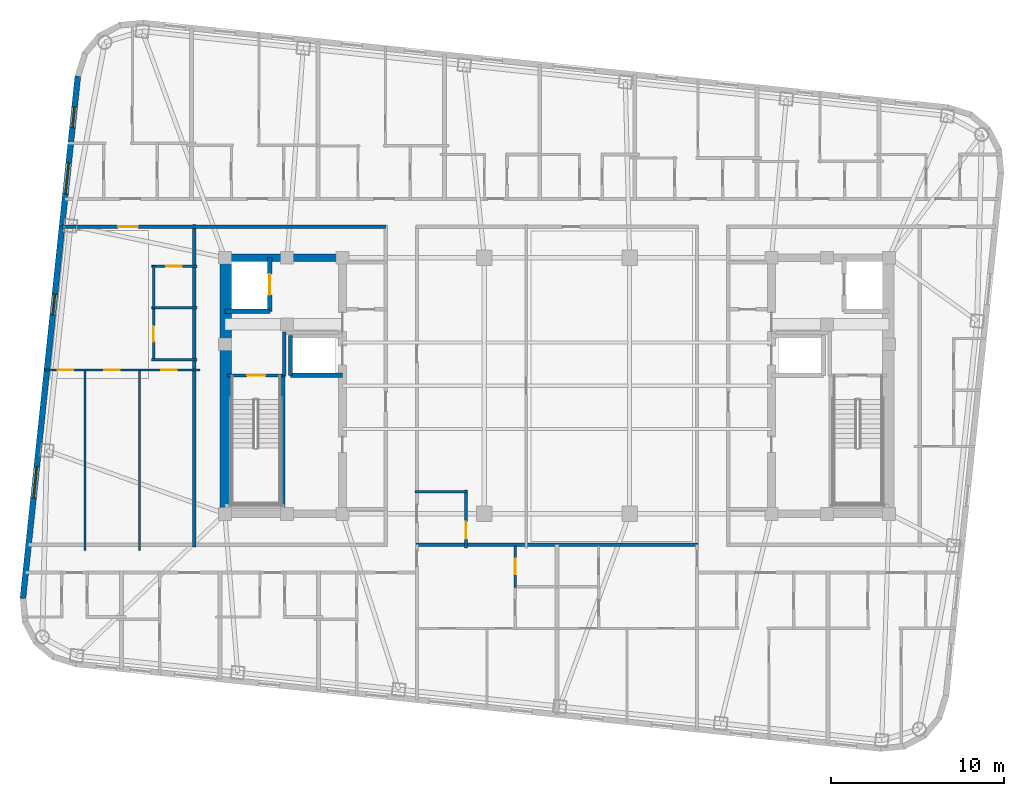
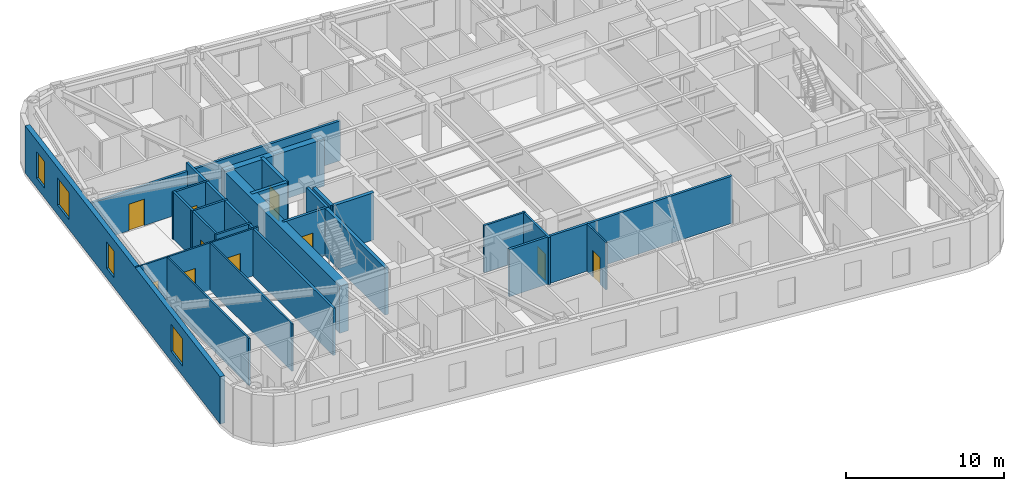
# One storey, part 4 of 11: 26 walls, 10 doors, 4 windows, 14 openings.
"""IFC4 building model written with IfcOpenShell, lengths in metres."""

from ifc_helpers import new_model, si_unit, direction, frame, frame_2d, origin, place, context, subcontext, project, spatial, rectangle, extrude, material, layer, layer_set, type_object, element, fill, save


model = new_model("IFC4")

# Units and contexts
model_context = context("Model", 3, precision=1e-05, world=origin(), true_north=direction((0.0, 1.0)))
body_context = subcontext(model_context, "Body", "Model", "MODEL_VIEW")
ifc_project = project(units=[si_unit("LENGTHUNIT", "METRE"), si_unit("AREAUNIT", "SQUARE_METRE"), si_unit("VOLUMEUNIT", "CUBIC_METRE"), si_unit("PLANEANGLEUNIT", "RADIAN"), si_unit("MASSUNIT", "GRAM", prefix="KILO")], contexts=[model_context])

# Site, building, storey
site_placement = place(None, origin())
site = spatial("IfcSite", under=ifc_project, at=site_placement, CompositionType="ELEMENT")
building_placement = place(site_placement, origin())
building = spatial("IfcBuilding", under=site, at=building_placement, Name="Voryun Gate Residences", CompositionType="ELEMENT")
storey_placement = place(building_placement, frame((0.0, 0.0, 279.5)))
storey = spatial("IfcBuildingStorey", under=building, at=storey_placement, Name="L69", CompositionType="ELEMENT", Elevation=279.5)

# Walls
ifc_material_1 = material(Name="Concrete C50/60", Category="concrete")
ifc_layer_1 = layer(ifc_material_1, 0.449951171875, Name="CW_CORE_450")
ifc_layer_set_1 = layer_set([ifc_layer_1], Name="Concrete C50/60")
wall_type_1 = type_object("IfcWallType", Name="CW_CORE_450", PredefinedType="SHEAR", material=ifc_layer_set_1)
wall_1_placement = place(storey_placement, frame((-19.425048828125, 7.39990234375, 0.0), z_axis=(0.0, 0.0, 1.0), x_axis=(1.0, 0.0, 0.0)))
element("IfcWall", 1, at=wall_1_placement, inside=storey, type_object=wall_type_1, Name="L69 Core shear wall CW-L69-WN", PredefinedType="SHEAR", context=body_context, shape_type="SweptSolid", body=[
    extrude(rectangle(XDim=7.25, YDim=0.449951171875, at=frame_2d((3.625, 0.0))), origin(), (0.0, 0.0, 1.0), 3.64990234375),
])
ifc_material_2 = material(Name="Concrete C60/75", Category="concrete")
ifc_layer_2 = layer(ifc_material_2, 0.64990234375, Name="CW_CORE_650")
ifc_layer_set_2 = layer_set([ifc_layer_2], Name="Concrete C60/75")
wall_type_2 = type_object("IfcWallType", Name="CW_CORE_650", PredefinedType="SHEAR", material=ifc_layer_set_2)
wall_2_placement = place(storey_placement, frame((-19.14501953125, -7.39990234375, 0.0), z_axis=(0.0, 0.0, 1.0), x_axis=(0.0, 1.0, 0.0)))
element("IfcWall", 2, at=wall_2_placement, inside=storey, type_object=wall_type_2, Name="L69 Core shear wall CW-L69-WW", PredefinedType="SHEAR", context=body_context, shape_type="SweptSolid", body=[
    extrude(rectangle(XDim=14.7998046875, YDim=0.64990234375, at=frame_2d((7.39990234375, 0.0))), origin(), (0.0, 0.0, 1.0), 3.64990234375),
])

# Wall, opening, door
ifc_material_3 = material(Name="Gypsum acoustic fireboard")
ifc_layer_3 = layer(ifc_material_3, 0.179931640625, Name="W_CORR_RATED_180")
ifc_layer_set_3 = layer_set([ifc_layer_3], Name="Gypsum acoustic fireboard")
wall_type_3 = type_object("IfcWallType", Name="W_CORR_RATED_180", PredefinedType="PARTITIONING", material=ifc_layer_set_3)
wall_3_placement = place(storey_placement, frame((-19.06005859375, 0.60009765625, 0.0), z_axis=(0.0, 0.0, 1.0), x_axis=(1.0, 0.0, 0.0)))
wall_3 = element("IfcWall", 3, at=wall_3_placement, inside=storey, type_object=wall_type_3, Name="Partition wall WP-L69-STV-W", PredefinedType="PARTITIONING", context=body_context, shape_type="SweptSolid", body=[
    extrude(rectangle(XDim=3.360107421875, YDim=0.179931640625, at=frame_2d((1.68017578125, 0.0))), origin(), (0.0, 0.0, 1.0), 3.64990234375),
])
opening_1_placement = place(wall_3_placement, frame((1.155029296875, 0.0, 0.0)))
opening_1 = element("IfcOpeningElement", 4, at=opening_1_placement, cuts=wall_3, Name="Opening D-FD60-1", PredefinedType="OPENING", context=body_context, shape_type="SweptSolid", body=[
    extrude(rectangle(XDim=1.050048828125, YDim=2.050048828125, at=frame_2d((0.52490234375, 1.02490234375))), frame((0.0, 0.099853515625, 0.0), z_axis=(0.0, -1.0, 0.0), x_axis=(1.0, 0.0, 0.0)), (0.0, 0.0, 1.0), 0.199951171875),
])
ifc_material_4 = material(Name="Painted steel fire door", Category="steel")
door_type_1 = type_object("IfcDoorType", Name="DR_FD60_STAIR_1050", OperationType="NOTDEFINED", PredefinedType="DOOR", material=ifc_material_4)
door_1_placement = place(opening_1_placement, origin())
door_1 = element("IfcDoor", 5, at=door_1_placement, inside=storey, type_object=door_type_1, Name="Door DR-L69-ST-W", OperationType="SINGLE_SWING_LEFT", OverallHeight=2.050048828125, OverallWidth=1.050048828125, PredefinedType="DOOR", context=body_context, shape_type="SweptSolid", body=[
    extrude(rectangle(XDim=1.050048828125, YDim=2.050048828125, at=frame_2d((0.52490234375, 1.02490234375))), frame((0.0, 0.02490234375, 0.0), z_axis=(0.0, -1.0, 0.0), x_axis=(1.0, 0.0, 0.0)), (0.0, 0.0, 1.0), 0.050048828125),
])
fill(opening_1, door_1)

wall_4_placement = place(storey_placement, frame((-28.61181640625, 9.18994140625, 0.0), z_axis=(0.0, 0.0, 1.0), x_axis=(1.0, 0.0, 0.0)))
wall_4 = element("IfcWall", 6, at=wall_4_placement, inside=storey, type_object=wall_type_3, Name="Partition wall WP-L69-CWING-WN", PredefinedType="PARTITIONING", context=body_context, shape_type="SweptSolid", body=[
    extrude(rectangle(XDim=18.73193359375, YDim=0.179931640625, at=frame_2d((9.365966796875, 0.0))), origin(), (0.0, 0.0, 1.0), 3.090087890625),
])
opening_2_placement = place(wall_4_placement, frame((3.24072265625, 0.0, 0.0)))
opening_2 = element("IfcOpeningElement", 7, at=opening_2_placement, cuts=wall_4, Name="Opening D-UNIT-1", PredefinedType="OPENING", context=body_context, shape_type="SweptSolid", body=[
    extrude(rectangle(XDim=1.14990234375, YDim=2.050048828125, at=frame_2d((0.574951171875, 1.02490234375))), frame((0.0, 0.099853515625, 0.0), z_axis=(0.0, -1.0, 0.0), x_axis=(1.0, 0.0, 0.0)), (0.0, 0.0, 1.0), 0.199951171875),
])
ifc_material_5 = material(Name="Armoured timber-clad fire door", Category="wood")
door_type_2 = type_object("IfcDoorType", Name="DR_UNIT_ENTRY_1150", OperationType="NOTDEFINED", PredefinedType="DOOR", material=ifc_material_5)
door_2_placement = place(opening_2_placement, origin())
door_2 = element("IfcDoor", 8, at=door_2_placement, inside=storey, type_object=door_type_2, Name="Door DR-L69-WE1N", OperationType="SINGLE_SWING_LEFT", OverallHeight=2.050048828125, OverallWidth=1.14990234375, PredefinedType="DOOR", context=body_context, shape_type="SweptSolid", body=[
    extrude(rectangle(XDim=1.14990234375, YDim=2.050048828125, at=frame_2d((0.574951171875, 1.02490234375))), frame((0.0, 0.02490234375, 0.0), z_axis=(0.0, -1.0, 0.0), x_axis=(1.0, 0.0, 0.0)), (0.0, 0.0, 1.0), 0.050048828125),
])
fill(opening_2, door_2)

# Walls
wall_5_placement = place(storey_placement, frame((-8.14990234375, -9.18994140625, 0.0), z_axis=(0.0, 0.0, 1.0), x_axis=(1.0, 0.0, 0.0)))
element("IfcWall", 9, at=wall_5_placement, inside=storey, type_object=wall_type_3, Name="Partition wall WP-L69-Z3S", PredefinedType="PARTITIONING", context=body_context, shape_type="SweptSolid", body=[
    extrude(rectangle(XDim=16.2998046875, YDim=0.179931640625, at=frame_2d((8.14990234375, 0.0))), origin(), (0.0, 0.0, 1.0), 3.64990234375),
])
wall_6_placement = place(storey_placement, frame((-20.969970703125, -9.31005859375, 0.0), z_axis=(0.0, 0.0, 1.0), x_axis=(0.0, 1.0, 0.0)))
element("IfcWall", 10, at=wall_6_placement, inside=storey, type_object=wall_type_3, Name="Partition wall WP-L69-WCOR", PredefinedType="PARTITIONING", context=body_context, shape_type="SweptSolid", body=[
    extrude(rectangle(XDim=18.6201171875, YDim=0.179931640625, at=frame_2d((9.31005859375, 0.0))), origin(), (0.0, 0.0, 1.0), 3.64990234375),
])

# Wall, openings, windows
ifc_material_6 = material(Name="Charcoal terracotta masonry", Category="masonry")
ifc_layer_4 = layer(ifc_material_6, 0.340087890625, Name="W_EXT_TERRACOTTA_340")
ifc_layer_set_4 = layer_set([ifc_layer_4], Name="Charcoal terracotta masonry")
wall_type_4 = type_object("IfcWallType", Name="W_EXT_TERRACOTTA_340", PredefinedType="ELEMENTEDWALL", material=ifc_layer_set_4)
wall_7_placement = place(storey_placement, frame((-30.8701171875, -12.295654296875, 0.0), z_axis=(0.0, 0.0, 1.0), x_axis=(0.104533282919, 0.994521388791, 0.0)))
wall_7 = element("IfcWall", 11, at=wall_7_placement, inside=storey, type_object=wall_type_4, Name="Exterior wall WEXT-L69-06", PredefinedType="ELEMENTEDWALL", context=body_context, shape_type="SweptSolid", body=[
    extrude(rectangle(XDim=30.366455078125, YDim=0.340087890625, at=frame_2d((15.18310546875, 0.0))), origin(), (0.0, 0.0, 1.0), 3.64990234375),
])
opening_3_placement = place(wall_7_placement, frame((5.841552734375, 0.0, 0.75)))
opening_3 = element("IfcOpeningElement", 12, at=opening_3_placement, cuts=wall_7, Name="Opening WN1", PredefinedType="OPENING", context=body_context, shape_type="SweptSolid", body=[
    extrude(rectangle(XDim=1.800048828125, YDim=2.10009765625, at=frame_2d((0.89990234375, 1.050048828125))), frame((0.0, 0.179931640625, 0.0), z_axis=(0.0, -1.0, 0.0), x_axis=(1.0, 0.0, 0.0)), (0.0, 0.0, 1.0), 0.360107421875),
])
opening_4_placement = place(wall_7_placement, frame((23.52490234375, 0.0, 0.75)))
opening_4 = element("IfcOpeningElement", 13, at=opening_4_placement, cuts=wall_7, Name="Opening WN1", PredefinedType="OPENING", context=body_context, shape_type="SweptSolid", body=[
    extrude(rectangle(XDim=1.800048828125, YDim=2.10009765625, at=frame_2d((0.89990234375, 1.050048828125))), frame((0.0, 0.179931640625, 0.0), z_axis=(0.0, -1.0, 0.0), x_axis=(1.0, 0.0, 0.0)), (0.0, 0.0, 1.0), 0.360107421875),
])
opening_5_placement = place(wall_7_placement, frame((27.368408203125, 0.0, 0.75)))
opening_5 = element("IfcOpeningElement", 14, at=opening_5_placement, cuts=wall_7, Name="Opening WN6", PredefinedType="OPENING", context=body_context, shape_type="SweptSolid", body=[
    extrude(rectangle(XDim=1.199951171875, YDim=2.050048828125, at=frame_2d((0.60009765625, 1.02490234375))), frame((0.0, 0.179931640625, 0.0), z_axis=(0.0, -1.0, 0.0), x_axis=(1.0, 0.0, 0.0)), (0.0, 0.0, 1.0), 0.360107421875),
])
opening_6_placement = place(wall_7_placement, frame((16.486572265625, 0.0, 0.75)))
opening_6 = element("IfcOpeningElement", 15, at=opening_6_placement, cuts=wall_7, Name="Opening WN6", PredefinedType="OPENING", context=body_context, shape_type="SweptSolid", body=[
    extrude(rectangle(XDim=1.199951171875, YDim=2.050048828125, at=frame_2d((0.60009765625, 1.02490234375))), frame((0.0, 0.179931640625, 0.0), z_axis=(0.0, -1.0, 0.0), x_axis=(1.0, 0.0, 0.0)), (0.0, 0.0, 1.0), 0.360107421875),
])
ifc_material_7 = material(Name="Laminated low-E glass", Category="glass")
window_type_1 = type_object("IfcWindowType", Name="WN_POD_SLOT_1200", PartitioningType="SINGLE_PANEL", PredefinedType="WINDOW", material=ifc_material_7)
window_1_placement = place(opening_5_placement, origin())
window_1 = element("IfcWindow", 16, at=window_1_placement, inside=storey, type_object=window_type_1, Name="Window WN-L69-DWFIX-01", OverallHeight=2.050048828125, OverallWidth=1.199951171875, PartitioningType="SINGLE_PANEL", PredefinedType="WINDOW", context=body_context, shape_type="SweptSolid", body=[
    extrude(rectangle(XDim=1.199951171875, YDim=2.050048828125, at=frame_2d((0.60009765625, 1.02490234375))), frame((0.0, 0.030029296875, 0.0), z_axis=(0.0, -1.0, 0.0), x_axis=(1.0, 0.0, 0.0)), (0.0, 0.0, 1.0), 0.06005859375),
])
fill(opening_5, window_1)
window_2_placement = place(opening_6_placement, origin())
window_2 = element("IfcWindow", 17, at=window_2_placement, inside=storey, type_object=window_type_1, Name="Window WN-L69-DWFIX-25", OverallHeight=2.050048828125, OverallWidth=1.199951171875, PartitioningType="SINGLE_PANEL", PredefinedType="WINDOW", context=body_context, shape_type="SweptSolid", body=[
    extrude(rectangle(XDim=1.199951171875, YDim=2.050048828125, at=frame_2d((0.60009765625, 1.02490234375))), frame((0.0, 0.030029296875, 0.0), z_axis=(0.0, -1.0, 0.0), x_axis=(1.0, 0.0, 0.0)), (0.0, 0.0, 1.0), 0.06005859375),
])
fill(opening_6, window_2)
ifc_material_8 = material(Name="Laminated low-E glass", Category="glass")
window_type_2 = type_object("IfcWindowType", Name="WN_RES_PUNCH_1800", PartitioningType="SINGLE_PANEL", PredefinedType="WINDOW", material=ifc_material_8)
window_3_placement = place(opening_3_placement, origin())
window_3 = element("IfcWindow", 18, at=window_3_placement, inside=storey, type_object=window_type_2, Name="Window WN-WEXT-L69-06-01", OverallHeight=2.10009765625, OverallWidth=1.800048828125, PartitioningType="SINGLE_PANEL", PredefinedType="WINDOW", context=body_context, shape_type="SweptSolid", body=[
    extrude(rectangle(XDim=1.800048828125, YDim=2.10009765625, at=frame_2d((0.89990234375, 1.050048828125))), frame((0.0, 0.030029296875, 0.0), z_axis=(0.0, -1.0, 0.0), x_axis=(1.0, 0.0, 0.0)), (0.0, 0.0, 1.0), 0.06005859375),
])
fill(opening_3, window_3)
window_4_placement = place(opening_4_placement, origin())
window_4 = element("IfcWindow", 19, at=window_4_placement, inside=storey, type_object=window_type_2, Name="Window WN-WEXT-L69-06-02", OverallHeight=2.10009765625, OverallWidth=1.800048828125, PartitioningType="SINGLE_PANEL", PredefinedType="WINDOW", context=body_context, shape_type="SweptSolid", body=[
    extrude(rectangle(XDim=1.800048828125, YDim=2.10009765625, at=frame_2d((0.89990234375, 1.050048828125))), frame((0.0, 0.030029296875, 0.0), z_axis=(0.0, -1.0, 0.0), x_axis=(1.0, 0.0, 0.0)), (0.0, 0.0, 1.0), 0.06005859375),
])
fill(opening_4, window_4)

# Walls
ifc_material_9 = material(Name="Concrete C40/50", Category="concrete")
ifc_layer_5 = layer(ifc_material_9, 0.199951171875, Name="W_FF_LOBBY_200")
ifc_layer_set_5 = layer_set([ifc_layer_5], Name="Concrete C40/50")
wall_type_5 = type_object("IfcWallType", Name="W_FF_LOBBY_200", PredefinedType="PARTITIONING", material=ifc_layer_set_5)
wall_8_placement = place(storey_placement, frame((-15.760009765625, 0.580078125, 0.0), z_axis=(0.0, 0.0, 1.0), x_axis=(0.0, 1.0, 0.0)))
element("IfcWall", 20, at=wall_8_placement, inside=storey, type_object=wall_type_5, Name="Partition wall WP-L69-FFP0-W", PredefinedType="PARTITIONING", context=body_context, shape_type="SweptSolid", body=[
    extrude(rectangle(XDim=2.52001953125, YDim=0.199951171875, at=frame_2d((1.260009765625, 0.0))), origin(), (0.0, 0.0, 1.0), 3.64990234375),
])
ifc_material_10 = material(Name="Concrete C50/60", Category="concrete")
ifc_layer_6 = layer(ifc_material_10, 0.25, Name="W_SHAFT_RC250")
ifc_layer_set_6 = layer_set([ifc_layer_6], Name="Concrete C50/60")
wall_type_6 = type_object("IfcWallType", Name="W_SHAFT_RC250", PredefinedType="SOLIDWALL", material=ifc_layer_set_6)
wall_9_placement = place(storey_placement, frame((-15.860107421875, -7.0849609375, 0.0), z_axis=(0.0, 0.0, 1.0), x_axis=(0.0, 1.0, 0.0)))
element("IfcWall", 21, at=wall_9_placement, inside=storey, type_object=wall_type_6, Name="L69 Stair shaft structural wall W-STR", PredefinedType="SOLIDWALL", context=body_context, shape_type="SweptSolid", body=[
    extrude(rectangle(XDim=7.68505859375, YDim=0.25, at=frame_2d((3.842529296875, 0.0))), origin(), (0.0, 0.0, 1.0), 3.64990234375),
])
wall_10_placement = place(storey_placement, frame((-19.199951171875, 4.300048828125, 0.0), z_axis=(0.0, 0.0, 1.0), x_axis=(1.0, 0.0, 0.0)))
element("IfcWall", 22, at=wall_10_placement, inside=storey, type_object=wall_type_6, Name="Lift shaft wall WSH-L69-EL-FF-W1-S", PredefinedType="SOLIDWALL", context=body_context, shape_type="SweptSolid", body=[
    extrude(rectangle(XDim=2.599853515625, YDim=0.25, at=frame_2d((1.2998046875, 0.0))), origin(), (0.0, 0.0, 1.0), 3.64990234375),
])

# Wall, opening, door
wall_11_placement = place(storey_placement, frame((-16.60009765625, 4.300048828125, 0.0), z_axis=(0.0, 0.0, 1.0), x_axis=(0.0, 1.0, 0.0)))
wall_11 = element("IfcWall", 23, at=wall_11_placement, inside=storey, type_object=wall_type_6, Name="Lift shaft wall WSH-L69-EL-FF-W1-E", PredefinedType="SOLIDWALL", context=body_context, shape_type="SweptSolid", body=[
    extrude(rectangle(XDim=3.099853515625, YDim=0.25, at=frame_2d((1.5498046875, 0.0))), origin(), (0.0, 0.0, 1.0), 3.64990234375),
])
opening_7_placement = place(wall_11_placement, frame((0.949951171875, 0.0, 0.0)))
opening_7 = element("IfcOpeningElement", 24, at=opening_7_placement, cuts=wall_11, Name="Opening LD1", PredefinedType="OPENING", context=body_context, shape_type="SweptSolid", body=[
    extrude(rectangle(XDim=1.199951171875, YDim=2.050048828125, at=frame_2d((0.60009765625, 1.02490234375))), frame((0.0, 0.135009765625, 0.0), z_axis=(0.0, -1.0, 0.0), x_axis=(1.0, 0.0, 0.0)), (0.0, 0.0, 1.0), 0.27001953125),
])
ifc_material_11 = material(Name="Anodised aluminium", Category="aluminium")
door_type_3 = type_object("IfcDoorType", Name="DR_LD_FF_1200", OperationType="NOTDEFINED", PredefinedType="DOOR", material=ifc_material_11)
door_3_placement = place(opening_7_placement, origin())
door_3 = element("IfcDoor", 25, at=door_3_placement, inside=storey, type_object=door_type_3, Name="Lift EL-FF-W1 sliding landing door L69", OperationType="SLIDING_TO_LEFT", OverallHeight=2.050048828125, OverallWidth=1.199951171875, PredefinedType="DOOR", context=body_context, shape_type="SweptSolid", body=[
    extrude(rectangle(XDim=1.199951171875, YDim=2.050048828125, at=frame_2d((0.60009765625, 1.02490234375))), frame((0.0, 0.02490234375, 0.0), z_axis=(0.0, -1.0, 0.0), x_axis=(1.0, 0.0, 0.0)), (0.0, 0.0, 1.0), 0.050048828125),
])
fill(opening_7, door_3)

# Walls
wall_12_placement = place(storey_placement, frame((-15.39990234375, 0.60009765625, 0.0), z_axis=(0.0, 0.0, 1.0), x_axis=(1.0, 0.0, 0.0)))
element("IfcWall", 26, at=wall_12_placement, inside=storey, type_object=wall_type_6, Name="Lift shaft wall WSH-L69-EL-P7-S", PredefinedType="SOLIDWALL", context=body_context, shape_type="SweptSolid", body=[
    extrude(rectangle(XDim=3.0, YDim=0.25, at=frame_2d((1.5, 0.0))), origin(), (0.0, 0.0, 1.0), 3.64990234375),
])
wall_13_placement = place(storey_placement, frame((-15.39990234375, 2.89990234375, 0.0), z_axis=(0.0, 0.0, 1.0), x_axis=(0.0, -1.0, 0.0)))
element("IfcWall", 27, at=wall_13_placement, inside=storey, type_object=wall_type_6, Name="Lift shaft wall WSH-L69-EL-P7-W", PredefinedType="SOLIDWALL", context=body_context, shape_type="SweptSolid", body=[
    extrude(rectangle(XDim=2.2998046875, YDim=0.25, at=frame_2d((1.14990234375, 0.0))), origin(), (0.0, 0.0, 1.0), 3.64990234375),
])

# Wall, opening, door
ifc_material_12 = material(Name="Gypsum acoustic partition")
ifc_layer_7 = layer(ifc_material_12, 0.125, Name="W_UNIT_PART_125")
ifc_layer_set_7 = layer_set([ifc_layer_7], Name="Gypsum acoustic partition")
wall_type_7 = type_object("IfcWallType", Name="W_UNIT_PART_125", PredefinedType="PARTITIONING", material=ifc_layer_set_7)
wall_14_placement = place(storey_placement, frame((-2.409912109375, -11.659912109375, 0.0), z_axis=(0.0, 0.0, 1.0), x_axis=(0.0, 1.0, 0.0)))
wall_14 = element("IfcWall", 28, at=wall_14_placement, inside=storey, type_object=wall_type_7, Name="Partition wall WP-L69-SC1-VK1", PredefinedType="PARTITIONING", context=body_context, shape_type="SweptSolid", body=[
    extrude(rectangle(XDim=2.409912109375, YDim=0.125, at=frame_2d((1.205078125, 0.0))), origin(), (0.0, 0.0, 1.0), 3.64990234375),
])
opening_8_placement = place(wall_14_placement, frame((0.7548828125, 0.0, 0.0)))
opening_8 = element("IfcOpeningElement", 29, at=opening_8_placement, cuts=wall_14, Name="Opening D-INT-2", PredefinedType="OPENING", context=body_context, shape_type="SweptSolid", body=[
    extrude(rectangle(XDim=0.89990234375, YDim=2.050048828125, at=frame_2d((0.449951171875, 1.02490234375))), frame((0.0, 0.072509765625, 0.0), z_axis=(0.0, -1.0, 0.0), x_axis=(1.0, 0.0, 0.0)), (0.0, 0.0, 1.0), 0.14501953125),
])
ifc_material_13 = material(Name="Architectural oak veneer")
door_type_4 = type_object("IfcDoorType", Name="DR_INT_BATH_900", OperationType="NOTDEFINED", PredefinedType="DOOR", material=ifc_material_13)
door_4_placement = place(opening_8_placement, origin())
door_4 = element("IfcDoor", 30, at=door_4_placement, inside=storey, type_object=door_type_4, Name="Door DR-L69-SC1-DK", OperationType="SINGLE_SWING_LEFT", OverallHeight=2.050048828125, OverallWidth=0.89990234375, PredefinedType="DOOR", context=body_context, shape_type="SweptSolid", body=[
    extrude(rectangle(XDim=0.89990234375, YDim=2.050048828125, at=frame_2d((0.449951171875, 1.02490234375))), frame((0.0, 0.02490234375, 0.0), z_axis=(0.0, -1.0, 0.0), x_axis=(1.0, 0.0, 0.0)), (0.0, 0.0, 1.0), 0.050048828125),
])
fill(opening_8, door_4)

wall_15_placement = place(storey_placement, frame((-29.633056640625, 0.909912109375, 0.0), z_axis=(0.0, 0.0, 1.0), x_axis=(1.0, 0.0, 0.0)))
wall_15 = element("IfcWall", 31, at=wall_15_placement, inside=storey, type_object=wall_type_7, Name="Partition wall WP-L69-W1-HZMB1", PredefinedType="PARTITIONING", context=body_context, shape_type="SweptSolid", body=[
    extrude(rectangle(XDim=2.402587890625, YDim=0.125, at=frame_2d((1.201171875, 0.0))), origin(), (0.0, 0.0, 1.0), 3.64990234375),
])
opening_9_placement = place(wall_15_placement, frame((0.760009765625, 0.0, 0.0)))
opening_9 = element("IfcOpeningElement", 32, at=opening_9_placement, cuts=wall_15, Name="Opening D-INT-2", PredefinedType="OPENING", context=body_context, shape_type="SweptSolid", body=[
    extrude(rectangle(XDim=0.89990234375, YDim=2.050048828125, at=frame_2d((0.449951171875, 1.02490234375))), frame((0.0, 0.072509765625, 0.0), z_axis=(0.0, -1.0, 0.0), x_axis=(1.0, 0.0, 0.0)), (0.0, 0.0, 1.0), 0.14501953125),
])
door_5_placement = place(opening_9_placement, origin())
door_5 = element("IfcDoor", 33, at=door_5_placement, inside=storey, type_object=door_type_4, Name="Door DR-L69-W1-DMB", OperationType="SINGLE_SWING_LEFT", OverallHeight=2.050048828125, OverallWidth=0.89990234375, PredefinedType="DOOR", context=body_context, shape_type="SweptSolid", body=[
    extrude(rectangle(XDim=0.89990234375, YDim=2.050048828125, at=frame_2d((0.449951171875, 1.02490234375))), frame((0.0, 0.02490234375, 0.0), z_axis=(0.0, -1.0, 0.0), x_axis=(1.0, 0.0, 0.0)), (0.0, 0.0, 1.0), 0.050048828125),
])
fill(opening_9, door_5)

wall_16_placement = place(storey_placement, frame((-27.35546875, 0.909912109375, 0.0), z_axis=(0.0, 0.0, 1.0), x_axis=(1.0, 0.0, 0.0)))
wall_16 = element("IfcWall", 34, at=wall_16_placement, inside=storey, type_object=wall_type_7, Name="Partition wall WP-L69-W1-HZMB2", PredefinedType="PARTITIONING", context=body_context, shape_type="SweptSolid", body=[
    extrude(rectangle(XDim=3.285888671875, YDim=0.125, at=frame_2d((1.64306640625, 0.0))), origin(), (0.0, 0.0, 1.0), 3.64990234375),
])
opening_10_placement = place(wall_16_placement, frame((1.193115234375, 0.0, 0.0)))
opening_10 = element("IfcOpeningElement", 35, at=opening_10_placement, cuts=wall_16, Name="Opening D-INT-2", PredefinedType="OPENING", context=body_context, shape_type="SweptSolid", body=[
    extrude(rectangle(XDim=0.89990234375, YDim=2.050048828125, at=frame_2d((0.449951171875, 1.02490234375))), frame((0.0, 0.072509765625, 0.0), z_axis=(0.0, -1.0, 0.0), x_axis=(1.0, 0.0, 0.0)), (0.0, 0.0, 1.0), 0.14501953125),
])
door_6_placement = place(opening_10_placement, origin())
door_6 = element("IfcDoor", 36, at=door_6_placement, inside=storey, type_object=door_type_4, Name="Door DR-L69-W1-DBD2", OperationType="SINGLE_SWING_RIGHT", OverallHeight=2.050048828125, OverallWidth=0.89990234375, PredefinedType="DOOR", context=body_context, shape_type="SweptSolid", body=[
    extrude(rectangle(XDim=0.89990234375, YDim=2.050048828125, at=frame_2d((0.449951171875, 1.02490234375))), frame((0.0, 0.02490234375, 0.0), z_axis=(0.0, -1.0, 0.0), x_axis=(1.0, 0.0, 0.0)), (0.0, 0.0, 1.0), 0.050048828125),
])
fill(opening_10, door_6)

wall_17_placement = place(storey_placement, frame((-24.194580078125, 0.909912109375, 0.0), z_axis=(0.0, 0.0, 1.0), x_axis=(1.0, 0.0, 0.0)))
wall_17 = element("IfcWall", 37, at=wall_17_placement, inside=storey, type_object=wall_type_7, Name="Partition wall WP-L69-W1-HZMB3", PredefinedType="PARTITIONING", context=body_context, shape_type="SweptSolid", body=[
    extrude(rectangle(XDim=3.544677734375, YDim=0.125, at=frame_2d((1.7724609375, 0.0))), origin(), (0.0, 0.0, 1.0), 3.64990234375),
])
opening_11_placement = place(wall_17_placement, frame((1.3134765625, 0.0, 0.0)))
opening_11 = element("IfcOpeningElement", 38, at=opening_11_placement, cuts=wall_17, Name="Opening D-INT-2", PredefinedType="OPENING", context=body_context, shape_type="SweptSolid", body=[
    extrude(rectangle(XDim=0.89990234375, YDim=2.050048828125, at=frame_2d((0.449951171875, 1.02490234375))), frame((0.0, 0.072509765625, 0.0), z_axis=(0.0, -1.0, 0.0), x_axis=(1.0, 0.0, 0.0)), (0.0, 0.0, 1.0), 0.14501953125),
])
door_7_placement = place(opening_11_placement, origin())
door_7 = element("IfcDoor", 39, at=door_7_placement, inside=storey, type_object=door_type_4, Name="Door DR-L69-W1-DBD3", OperationType="SINGLE_SWING_LEFT", OverallHeight=2.050048828125, OverallWidth=0.89990234375, PredefinedType="DOOR", context=body_context, shape_type="SweptSolid", body=[
    extrude(rectangle(XDim=0.89990234375, YDim=2.050048828125, at=frame_2d((0.449951171875, 1.02490234375))), frame((0.0, 0.02490234375, 0.0), z_axis=(0.0, -1.0, 0.0), x_axis=(1.0, 0.0, 0.0)), (0.0, 0.0, 1.0), 0.050048828125),
])
fill(opening_11, door_7)

# Walls
for number, where, z_axis, x_axis, name in (
    (40, (-24.132080078125, -9.510009765625, 0.0), (0.0, 0.0, 1.0), (0.0, 1.0, 0.0), "Partition wall WP-L69-W1-VMB2"),
    (41, (-27.29296875, -9.510009765625, 0.0), (0.0, 0.0, 1.0), (0.0, 1.0, 0.0), "Partition wall WP-L69-W1-VMB"),
):
    element("IfcWall", number, at=place(storey_placement, frame(where, z_axis=z_axis, x_axis=x_axis)), inside=storey, type_object=wall_type_7, Name=name, PredefinedType="PARTITIONING", context=body_context, shape_type="SweptSolid", body=[
        extrude(rectangle(XDim=10.47998046875, YDim=0.125, at=frame_2d((5.239990234375, 0.0))), origin(), (0.0, 0.0, 1.0), 3.64990234375),
    ])

# Wall, opening, door
ifc_material_14 = material(Name="Gypsum moisture-resistant partition")
ifc_layer_8 = layer(ifc_material_14, 0.14990234375, Name="W_WET_PLUMB_150")
ifc_layer_set_8 = layer_set([ifc_layer_8], Name="Gypsum moisture-resistant partition")
wall_type_8 = type_object("IfcWallType", Name="W_WET_PLUMB_150", PredefinedType="PLUMBINGWALL", material=ifc_layer_set_8)
wall_18_placement = place(storey_placement, frame((-5.260009765625, -9.3701171875, 0.0), z_axis=(0.0, 0.0, 1.0), x_axis=(0.0, 1.0, 0.0)))
wall_18 = element("IfcWall", 42, at=wall_18_placement, inside=storey, type_object=wall_type_8, Name="Partition wall WP-L69-CMWCX", PredefinedType="PLUMBINGWALL", context=body_context, shape_type="SweptSolid", body=[
    extrude(rectangle(XDim=3.35009765625, YDim=0.14990234375, at=frame_2d((1.675048828125, 0.0))), origin(), (0.0, 0.0, 1.0), 3.64990234375),
])
opening_12_placement = place(wall_18_placement, frame((0.514892578125, 0.0, 0.0)))
opening_12 = element("IfcOpeningElement", 43, at=opening_12_placement, cuts=wall_18, Name="Opening D-AWC-1", PredefinedType="OPENING", context=body_context, shape_type="SweptSolid", body=[
    extrude(rectangle(XDim=1.0, YDim=2.050048828125, at=frame_2d((0.5, 1.02490234375))), frame((0.0, 0.0849609375, 0.0), z_axis=(0.0, -1.0, 0.0), x_axis=(1.0, 0.0, 0.0)), (0.0, 0.0, 1.0), 0.169921875),
])
ifc_material_15 = material(Name="Architectural oak veneer")
door_type_5 = type_object("IfcDoorType", Name="DR_ACC_WC_1000", OperationType="NOTDEFINED", PredefinedType="DOOR", material=ifc_material_15)
door_8_placement = place(opening_12_placement, origin())
door_8 = element("IfcDoor", 44, at=door_8_placement, inside=storey, type_object=door_type_5, Name="Door DR-L69-CMWC", OperationType="SINGLE_SWING_LEFT", OverallHeight=2.050048828125, OverallWidth=1.0, PredefinedType="DOOR", context=body_context, shape_type="SweptSolid", body=[
    extrude(rectangle(XDim=1.0, YDim=2.050048828125, at=frame_2d((0.5, 1.02490234375))), frame((0.0, 0.02490234375, 0.0), z_axis=(0.0, -1.0, 0.0), x_axis=(1.0, 0.0, 0.0)), (0.0, 0.0, 1.0), 0.050048828125),
])
fill(opening_12, door_8)

# Wall
wall_19_placement = place(storey_placement, frame((-8.2099609375, -6.1201171875, 0.0), z_axis=(0.0, 0.0, 1.0), x_axis=(1.0, 0.0, 0.0)))
element("IfcWall", 45, at=wall_19_placement, inside=storey, type_object=wall_type_8, Name="Partition wall WP-L69-CMWCY", PredefinedType="PLUMBINGWALL", context=body_context, shape_type="SweptSolid", body=[
    extrude(rectangle(XDim=3.050048828125, YDim=0.14990234375, at=frame_2d((1.52490234375, 0.0))), origin(), (0.0, 0.0, 1.0), 3.64990234375),
])

# Wall, opening, door
wall_20_placement = place(storey_placement, frame((-23.43994140625, 6.89990234375, 0.0), z_axis=(0.0, 0.0, 1.0), x_axis=(1.0, 0.0, 0.0)))
wall_20 = element("IfcWall", 46, at=wall_20_placement, inside=storey, type_object=wall_type_8, Name="Partition wall WP-L69-W1-IBT", PredefinedType="PLUMBINGWALL", context=body_context, shape_type="SweptSolid", body=[
    extrude(rectangle(XDim=2.619873046875, YDim=0.14990234375, at=frame_2d((1.31005859375, 0.0))), origin(), (0.0, 0.0, 1.0), 3.64990234375),
])
opening_13_placement = place(wall_20_placement, frame((0.860107421875, 0.0, 0.0)))
opening_13 = element("IfcOpeningElement", 47, at=opening_13_placement, cuts=wall_20, Name="Opening D-INT-2", PredefinedType="OPENING", context=body_context, shape_type="SweptSolid", body=[
    extrude(rectangle(XDim=0.89990234375, YDim=2.050048828125, at=frame_2d((0.449951171875, 1.02490234375))), frame((0.0, 0.0849609375, 0.0), z_axis=(0.0, -1.0, 0.0), x_axis=(1.0, 0.0, 0.0)), (0.0, 0.0, 1.0), 0.169921875),
])
door_9_placement = place(opening_13_placement, origin())
door_9 = element("IfcDoor", 48, at=door_9_placement, inside=storey, type_object=door_type_4, Name="Door DR-L69-W1-DK", OperationType="SINGLE_SWING_LEFT", OverallHeight=2.050048828125, OverallWidth=0.89990234375, PredefinedType="DOOR", context=body_context, shape_type="SweptSolid", body=[
    extrude(rectangle(XDim=0.89990234375, YDim=2.050048828125, at=frame_2d((0.449951171875, 1.02490234375))), frame((0.0, 0.02490234375, 0.0), z_axis=(0.0, -1.0, 0.0), x_axis=(1.0, 0.0, 0.0)), (0.0, 0.0, 1.0), 0.050048828125),
])
fill(opening_13, door_9)

# Walls
for number, where, z_axis, x_axis, name in (
    (49, (-23.43994140625, 4.52001953125, 0.0), (0.0, 0.0, 1.0), (1.0, 0.0, 0.0), "Partition wall WP-L69-W1-IKB"),
    (50, (-23.43994140625, 1.5, 0.0), (0.0, 0.0, 1.0), (1.0, 0.0, 0.0), "Partition wall WP-L69-W1-IBB"),
):
    element("IfcWall", number, at=place(storey_placement, frame(where, z_axis=z_axis, x_axis=x_axis)), inside=storey, type_object=wall_type_8, Name=name, PredefinedType="PLUMBINGWALL", context=body_context, shape_type="SweptSolid", body=[
        extrude(rectangle(XDim=2.619873046875, YDim=0.14990234375, at=frame_2d((1.31005859375, 0.0))), origin(), (0.0, 0.0, 1.0), 3.64990234375),
    ])

# Wall, opening, door
wall_21_placement = place(storey_placement, frame((-23.320068359375, 1.43994140625, 0.0), z_axis=(0.0, 0.0, 1.0), x_axis=(0.0, 1.0, 0.0)))
wall_21 = element("IfcWall", 51, at=wall_21_placement, inside=storey, type_object=wall_type_8, Name="Partition wall WP-L69-W1-VTSK1", PredefinedType="PLUMBINGWALL", context=body_context, shape_type="SweptSolid", body=[
    extrude(rectangle(XDim=3.1201171875, YDim=0.14990234375, at=frame_2d((1.56005859375, 0.0))), origin(), (0.0, 0.0, 1.0), 3.64990234375),
])
opening_14_placement = place(wall_21_placement, frame((1.110107421875, 0.0, 0.0)))
opening_14 = element("IfcOpeningElement", 52, at=opening_14_placement, cuts=wall_21, Name="Opening D-INT-2", PredefinedType="OPENING", context=body_context, shape_type="SweptSolid", body=[
    extrude(rectangle(XDim=0.89990234375, YDim=2.050048828125, at=frame_2d((0.449951171875, 1.02490234375))), frame((0.0, 0.0849609375, 0.0), z_axis=(0.0, -1.0, 0.0), x_axis=(1.0, 0.0, 0.0)), (0.0, 0.0, 1.0), 0.169921875),
])
door_10_placement = place(opening_14_placement, origin())
door_10 = element("IfcDoor", 53, at=door_10_placement, inside=storey, type_object=door_type_4, Name="Door DR-L69-W1-DB", OperationType="SINGLE_SWING_RIGHT", OverallHeight=2.050048828125, OverallWidth=0.89990234375, PredefinedType="DOOR", context=body_context, shape_type="SweptSolid", body=[
    extrude(rectangle(XDim=0.89990234375, YDim=2.050048828125, at=frame_2d((0.449951171875, 1.02490234375))), frame((0.0, 0.02490234375, 0.0), z_axis=(0.0, -1.0, 0.0), x_axis=(1.0, 0.0, 0.0)), (0.0, 0.0, 1.0), 0.050048828125),
])
fill(opening_14, door_10)

# Wall
wall_22_placement = place(storey_placement, frame((-23.320068359375, 4.47998046875, 0.0), z_axis=(0.0, 0.0, 1.0), x_axis=(0.0, 1.0, 0.0)))
element("IfcWall", 54, at=wall_22_placement, inside=storey, type_object=wall_type_8, Name="Partition wall WP-L69-W1-VTSK2", PredefinedType="PLUMBINGWALL", context=body_context, shape_type="SweptSolid", body=[
    extrude(rectangle(XDim=2.47998046875, YDim=0.14990234375, at=frame_2d((1.239990234375, 0.0))), origin(), (0.0, 0.0, 1.0), 3.64990234375),
])

save(model, "model.ifc")
